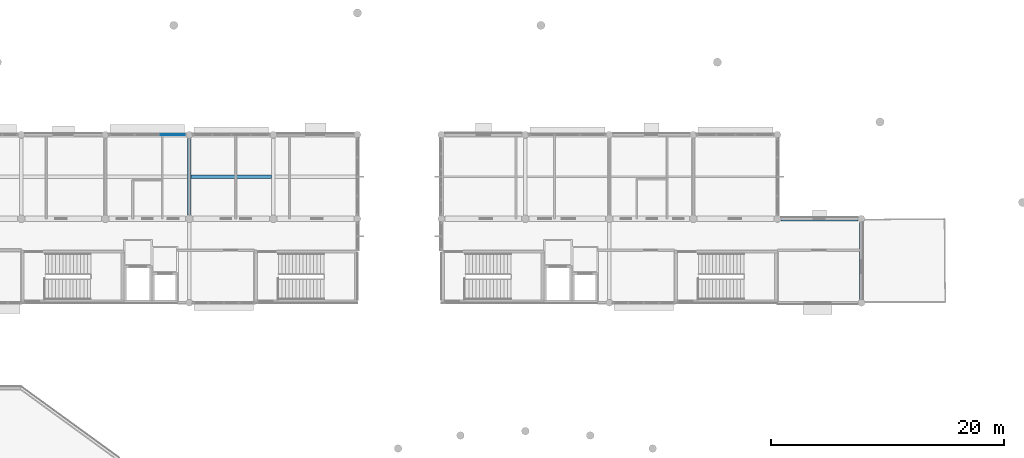
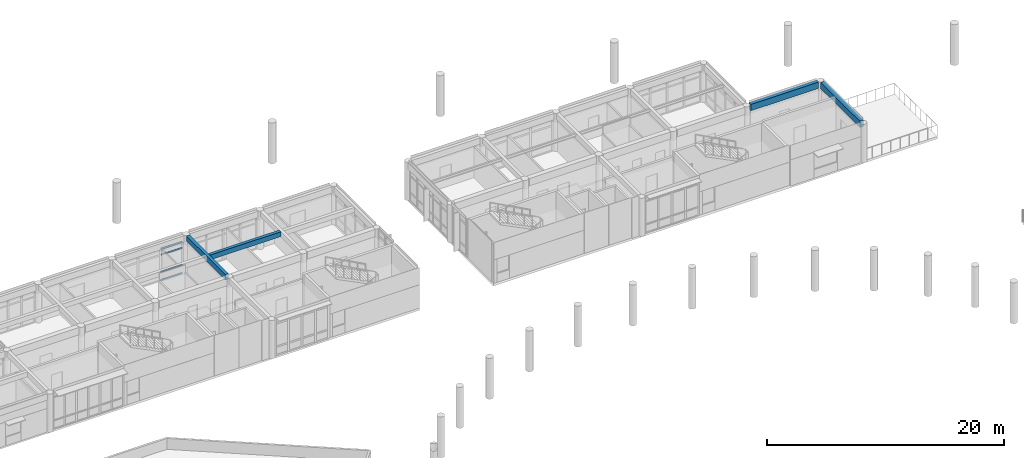
# One storey, part 12 of 55: 4 beams, 4 members, 1 element without a shape of its own.
"""IFC4 building model written with IfcOpenShell, lengths in metres."""

from ifc_helpers import new_model, si_unit, direction, frame, origin, origin_2d, place, context, subcontext, project, spatial, rectangle, extrude, material, layer, layer_set, material_profile, profile_set, type_object, element, aggregate, save


model = new_model("IFC4")

# Units and contexts
model_context = context("Model", 3, precision=1e-05, world=origin(), true_north=direction((0.0, 1.0)))
body_context = subcontext(model_context, "Body", "Model", "MODEL_VIEW")
ifc_project = project(units=[si_unit("LENGTHUNIT", "METRE"), si_unit("AREAUNIT", "SQUARE_METRE"), si_unit("VOLUMEUNIT", "CUBIC_METRE"), si_unit("PLANEANGLEUNIT", "RADIAN"), si_unit("MASSUNIT", "GRAM", prefix="KILO")], contexts=[model_context])

# Site, building, storey
site_placement = place(None, origin())
site = spatial("IfcSite", under=ifc_project, at=site_placement, CompositionType="ELEMENT")
building_placement = place(site_placement, origin())
building = spatial("IfcBuilding", under=site, at=building_placement, Name="Namkhue Oval Health Centre", CompositionType="ELEMENT")
storey_placement = place(building_placement, frame((0.0, 0.0, 9.60009765625)))
storey = spatial("IfcBuildingStorey", under=building, at=storey_placement, Name="L02", CompositionType="ELEMENT", Elevation=9.60009765625)

# Curtain wall, members
ifc_material_1 = material(Name="Anodised aluminium EN AW-6063 T6", Category="aluminium")
ifc_layer = layer(ifc_material_1, 0.159912109375)
ifc_layer_set = layer_set([ifc_layer], Name="Anodised aluminium EN AW-6063 T6")
curtain_wall_type = type_object("IfcCurtainWallType", Name="UNITISED CURTAIN WALL M2000", PredefinedType="NOTDEFINED", material=ifc_layer_set)
curtain_wall_placement = place(storey_placement, origin())
curtain_wall = element("IfcCurtainWall", 1, at=curtain_wall_placement, inside=storey, type_object=curtain_wall_type, Name="Volume V2 L02 Unitised Curtain Wall 66", PredefinedType="NOTDEFINED")
ifc_material_profile_1 = material_profile(ifc_material_1, rectangle(XDim=0.074951171875, YDim=0.14990234375, at=origin_2d()), Name="ALU 75x150")
ifc_profile_set_1 = profile_set([ifc_material_profile_1], Name="Anodised aluminium EN AW-6063 T6")
member_type = type_object("IfcMemberType", Name="CURTAIN WALL TRANSOM 75X150", PredefinedType="USERDEFINED", material=ifc_profile_set_1)
member_1_placement = place(storey_placement, frame((71.614990234375, 104.39990234375, 0.037353515625), z_axis=(-1.0, 0.0, 0.0), x_axis=(0.0, -1.0, 0.0)))
member_1 = element("IfcMember", 2, at=member_1_placement, type_object=member_type, Name="CW-06 transom 1.1", ObjectType="TRANSOM", PredefinedType="USERDEFINED", context=body_context, shape_type="SweptSolid", body=[
    extrude(rectangle(XDim=0.074951171875, YDim=0.14990234375, at=origin_2d()), origin(), (0.0, 0.0, 1.0), 2.080810546875),
])
member_2_placement = place(storey_placement, frame((71.614990234375, 104.39990234375, 0.89990234375), z_axis=(-1.0, 0.0, 0.0), x_axis=(0.0, -1.0, 0.0)))
member_2 = element("IfcMember", 3, at=member_2_placement, type_object=member_type, Name="CW-06 transom 1.2", ObjectType="TRANSOM", PredefinedType="USERDEFINED", context=body_context, shape_type="SweptSolid", body=[
    extrude(rectangle(XDim=0.074951171875, YDim=0.14990234375, at=origin_2d()), origin(), (0.0, 0.0, 1.0), 2.080810546875),
])
member_3_placement = place(storey_placement, frame((71.614990234375, 104.39990234375, 2.64990234375), z_axis=(-1.0, 0.0, 0.0), x_axis=(0.0, -1.0, 0.0)))
member_3 = element("IfcMember", 4, at=member_3_placement, type_object=member_type, Name="CW-06 transom 1.3", ObjectType="TRANSOM", PredefinedType="USERDEFINED", context=body_context, shape_type="SweptSolid", body=[
    extrude(rectangle(XDim=0.074951171875, YDim=0.14990234375, at=origin_2d()), origin(), (0.0, 0.0, 1.0), 2.080810546875),
])
member_4_placement = place(storey_placement, frame((71.614990234375, 104.39990234375, 3.262451171875), z_axis=(-1.0, 0.0, 0.0), x_axis=(0.0, -1.0, 0.0)))
member_4 = element("IfcMember", 5, at=member_4_placement, type_object=member_type, Name="CW-06 transom 1.4", ObjectType="TRANSOM", PredefinedType="USERDEFINED", context=body_context, shape_type="SweptSolid", body=[
    extrude(rectangle(XDim=0.074951171875, YDim=0.14990234375, at=origin_2d()), origin(), (0.0, 0.0, 1.0), 2.080810546875),
])
aggregate(curtain_wall, [member_1, member_2, member_3, member_4])

# Beams
ifc_material_2 = material(Name="Reinforced concrete C30/37 (TCVN B35)", Category="concrete")
ifc_material_profile_2 = material_profile(ifc_material_2, rectangle(XDim=0.300048828125, YDim=0.550048828125, at=origin_2d()), Name="RC 300x550")
ifc_profile_set_2 = profile_set([ifc_material_profile_2], Name="Reinforced concrete C30/37 (TCVN B35)")
beam_type_1 = type_object("IfcBeamType", Name="FLOOR BEAM RC 300X550", PredefinedType="BEAM", material=ifc_profile_set_2)
beam_1_placement = place(storey_placement, frame((72.0, 97.52490234375, 3.6748046875), z_axis=(0.0, 1.0, 0.0), x_axis=(-1.0, 0.0, 0.0)))
element("IfcBeam", 6, at=beam_1_placement, inside=storey, type_object=beam_type_1, Name="Volume V2 L03 Beam 11/O-P", PredefinedType="BEAM", context=body_context, shape_type="SweptSolid", body=[
    extrude(rectangle(XDim=0.300048828125, YDim=0.550048828125, at=origin_2d()), origin(), (0.0, 0.0, 1.0), 6.5751953125),
])
ifc_material_3 = material(Name="Reinforced concrete C35/45 (TCVN B40)", Category="concrete")
ifc_material_profile_3 = material_profile(ifc_material_3, rectangle(XDim=0.35009765625, YDim=0.64990234375, at=origin_2d()), Name="RC 350x650")
ifc_profile_set_3 = profile_set([ifc_material_profile_3], Name="Reinforced concrete C35/45 (TCVN B40)")
beam_type_2 = type_object("IfcBeamType", Name="PERIMETER SPANDREL BEAM 350X650", PredefinedType="SPANDREL", material=ifc_profile_set_3)
beam_2_placement = place(storey_placement, frame((122.699951171875, 97.199951171875, 3.6328125), z_axis=(1.0, 0.0, 0.0), x_axis=(0.0, 1.0, 0.0)))
element("IfcBeam", 7, at=beam_2_placement, inside=storey, type_object=beam_type_2, Name="Volume V3 L03 Girder O/18-19", PredefinedType="SPANDREL", context=body_context, shape_type="SweptSolid", body=[
    extrude(rectangle(XDim=0.35009765625, YDim=0.64990234375, at=origin_2d()), origin(), (0.0, 0.0, 1.0), 6.60009765625),
])
beam_3_placement = place(storey_placement, frame((129.60009765625, 90.300048828125, 3.6328125), z_axis=(0.0, 1.0, 0.0), x_axis=(-1.0, 0.0, 0.0)))
element("IfcBeam", 8, at=beam_3_placement, inside=storey, type_object=beam_type_2, Name="Volume V3 L03 Beam 19/N-O", PredefinedType="SPANDREL", context=body_context, shape_type="SweptSolid", body=[
    extrude(rectangle(XDim=0.35009765625, YDim=0.64990234375, at=origin_2d()), origin(), (0.0, 0.0, 1.0), 6.599853515625),
])
ifc_material_profile_4 = material_profile(ifc_material_2, rectangle(XDim=0.300048828125, YDim=0.5, at=origin_2d()), Name="RC 300x500")
ifc_profile_set_4 = profile_set([ifc_material_profile_4], Name="Reinforced concrete C30/37 (TCVN B35)")
beam_type_3 = type_object("IfcBeamType", Name="SECONDARY JOIST RC 300X500", PredefinedType="JOIST", material=ifc_profile_set_4)
beam_4_placement = place(storey_placement, frame((72.14990234375, 100.800048828125, 3.699951171875), z_axis=(1.0, 0.0, 0.0), x_axis=(0.0, 1.0, 0.0)))
element("IfcBeam", 9, at=beam_4_placement, inside=storey, type_object=beam_type_3, Name="Volume V2 L03 Secondary Joist 11-12", PredefinedType="JOIST", context=body_context, shape_type="SweptSolid", body=[
    extrude(rectangle(XDim=0.300048828125, YDim=0.5, at=origin_2d()), origin(), (0.0, 0.0, 1.0), 6.900146484375),
])

save(model, "model.ifc")
